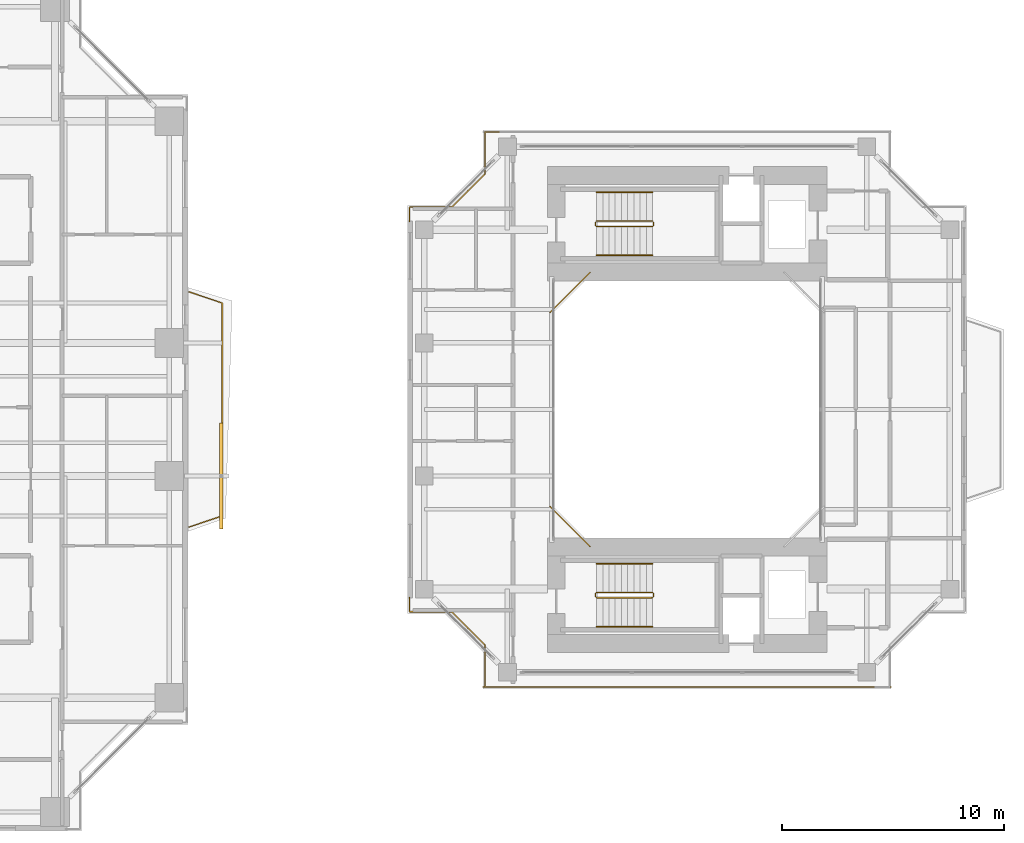
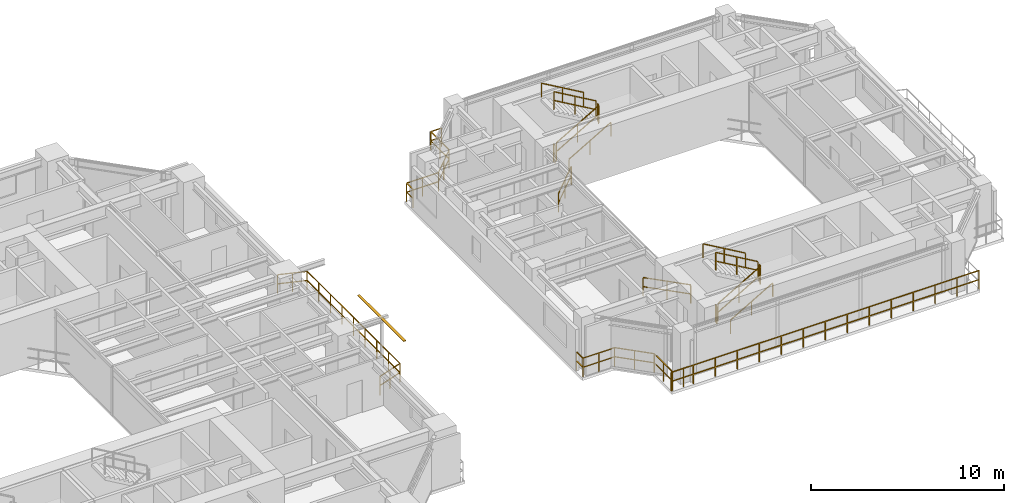
# One storey, part 21 of 23: 18 railings, 1 shading device.
"""IFC4 building model written with IfcOpenShell, lengths in metres."""

from ifc_helpers import new_model, si_unit, direction, frame, origin, origin_2d, place, context, subcontext, project, spatial, rectangle, extrude, source, transform, mapped, material, material_profile, profile_set, type_object, element, save


model = new_model("IFC4")

# Units and contexts
model_context = context("Model", 3, precision=1e-05, world=origin(), true_north=direction((0.0, 1.0)))
body_context = subcontext(model_context, "Body", "Model", "MODEL_VIEW")
ifc_project = project(units=[si_unit("LENGTHUNIT", "METRE"), si_unit("AREAUNIT", "SQUARE_METRE"), si_unit("VOLUMEUNIT", "CUBIC_METRE"), si_unit("PLANEANGLEUNIT", "RADIAN"), si_unit("MASSUNIT", "GRAM", prefix="KILO"), si_unit("THERMODYNAMICTEMPERATUREUNIT", "KELVIN"), si_unit("POWERUNIT", "WATT")], contexts=[model_context])

# Site, building, storey
site_placement = place(None, origin())
site = spatial("IfcSite", under=ifc_project, at=site_placement, CompositionType="ELEMENT")
building_placement = place(site_placement, origin())
building = spatial("IfcBuilding", under=site, at=building_placement, Name="Qiaomeng Ring Towers", CompositionType="ELEMENT")
storey_placement = place(building_placement, frame((0.0, 0.0, 76.25)))
storey = spatial("IfcBuildingStorey", under=building, at=storey_placement, Name="L21", CompositionType="ELEMENT", Elevation=76.25)

# Railings
ifc_material_1 = material(Name="Low-E pale-green laminated safety glass", Category="glass")
railing_type_1 = type_object("IfcRailingType", Name="ARC-RL-BAL1", PredefinedType="BALUSTRADE", material=ifc_material_1)
railing_1_placement = place(storey_placement, frame((38.050048828125, 17.699951171875, 0.0)))
element("IfcRailing", 1, at=railing_1_placement, inside=storey, type_object=railing_type_1, Name="L21 Balustrade ARC-BAL-L21-T1-E", PredefinedType="BALUSTRADE", context=body_context, shape_type="SweptSolid", body=[
    extrude(rectangle(XDim=0.048095703125, YDim=0.048095703125, at=origin_2d()), frame((0.0, 0.0, 1.17578125), z_axis=(0.948044476945, 0.318137815629, 0.0), x_axis=(-0.318137815629, 0.948044476945, 0.0)), (0.0, 0.0, 1.0), 1.571533203125),
    extrude(rectangle(XDim=0.048095703125, YDim=0.048095703125, at=origin_2d()), frame((0.0, 0.0, 0.60009765625), z_axis=(0.948044476945, 0.318137815629, 0.0), x_axis=(-0.318137815629, 0.948044476945, 0.0)), (0.0, 0.0, 1.0), 1.571533203125),
    extrude(rectangle(XDim=0.048095703125, YDim=0.048095703125, at=origin_2d()), frame((1.489990234375, 0.5, 1.17578125), z_axis=(0.0, 1.0, 0.0), x_axis=(-1.0, 0.0, 0.0)), (0.0, 0.0, 1.0), 9.60009765625),
    extrude(rectangle(XDim=0.048095703125, YDim=0.048095703125, at=origin_2d()), frame((1.489990234375, 0.5, 0.60009765625), z_axis=(0.0, 1.0, 0.0), x_axis=(-1.0, 0.0, 0.0)), (0.0, 0.0, 1.0), 9.60009765625),
    extrude(rectangle(XDim=0.048095703125, YDim=0.048095703125, at=origin_2d()), frame((1.489990234375, 10.10009765625, 1.17578125), z_axis=(-0.948044476945, 0.318137815629, 0.0), x_axis=(-0.318137815629, -0.948044476945, 0.0)), (0.0, 0.0, 1.0), 1.571533203125),
    extrude(rectangle(XDim=0.048095703125, YDim=0.048095703125, at=origin_2d()), frame((1.489990234375, 10.10009765625, 0.60009765625), z_axis=(-0.948044476945, 0.318137815629, 0.0), x_axis=(-0.318137815629, -0.948044476945, 0.0)), (0.0, 0.0, 1.0), 1.571533203125),
    extrude(rectangle(XDim=0.0419921875, YDim=0.0419921875, at=origin_2d()), origin(), (0.0, 0.0, 1.0), 1.15185546875),
    extrude(rectangle(XDim=0.0419921875, YDim=0.0419921875, at=origin_2d()), frame((0.7451171875, 0.25, 0.0)), (0.0, 0.0, 1.0), 1.15185546875),
    extrude(rectangle(XDim=0.0419921875, YDim=0.0419921875, at=origin_2d()), frame((1.489990234375, 0.5, 0.0)), (0.0, 0.0, 1.0), 1.15185546875),
    extrude(rectangle(XDim=0.0419921875, YDim=0.0419921875, at=origin_2d()), frame((1.489990234375, 1.699951171875, 0.0)), (0.0, 0.0, 1.0), 1.15185546875),
    extrude(rectangle(XDim=0.0419921875, YDim=0.0419921875, at=origin_2d()), frame((1.489990234375, 2.89990234375, 0.0)), (0.0, 0.0, 1.0), 1.15185546875),
    extrude(rectangle(XDim=0.0419921875, YDim=0.0419921875, at=origin_2d()), frame((1.489990234375, 4.10009765625, 0.0)), (0.0, 0.0, 1.0), 1.15185546875),
    extrude(rectangle(XDim=0.0419921875, YDim=0.0419921875, at=origin_2d()), frame((1.489990234375, 5.300048828125, 0.0)), (0.0, 0.0, 1.0), 1.15185546875),
    extrude(rectangle(XDim=0.0419921875, YDim=0.0419921875, at=origin_2d()), frame((1.489990234375, 6.5, 0.0)), (0.0, 0.0, 1.0), 1.15185546875),
    extrude(rectangle(XDim=0.0419921875, YDim=0.0419921875, at=origin_2d()), frame((1.489990234375, 7.7001953125, 0.0)), (0.0, 0.0, 1.0), 1.15185546875),
    extrude(rectangle(XDim=0.0419921875, YDim=0.0419921875, at=origin_2d()), frame((1.489990234375, 8.900146484375, 0.0)), (0.0, 0.0, 1.0), 1.15185546875),
    extrude(rectangle(XDim=0.0419921875, YDim=0.0419921875, at=origin_2d()), frame((1.489990234375, 10.10009765625, 0.0)), (0.0, 0.0, 1.0), 1.15185546875),
    extrude(rectangle(XDim=0.0419921875, YDim=0.0419921875, at=origin_2d()), frame((0.7451171875, 10.35009765625, 0.0)), (0.0, 0.0, 1.0), 1.15185546875),
    extrude(rectangle(XDim=0.0419921875, YDim=0.0419921875, at=origin_2d()), frame((0.0, 10.60009765625, 0.0)), (0.0, 0.0, 1.0), 1.15185546875),
])
railing_2_placement = place(storey_placement, frame((56.1201171875, 29.179931640625, 0.0)))
element("IfcRailing", 2, at=railing_2_placement, inside=storey, type_object=railing_type_1, Name="L21 Balustrade ARC-BAL-WELL2-L21-3", PredefinedType="BALUSTRADE", context=body_context, shape_type="SweptSolid", body=[
    extrude(rectangle(XDim=0.048095703125, YDim=0.048095703125, at=origin_2d()), frame((0.0, 0.0, 1.17578125), z_axis=(-0.707106781187, -0.707106781187, 0.0), x_axis=(0.707106781187, -0.707106781187, 0.0)), (0.0, 0.0, 1.0), 2.545654296875),
    extrude(rectangle(XDim=0.048095703125, YDim=0.048095703125, at=origin_2d()), frame((0.0, 0.0, 0.60009765625), z_axis=(-0.707106781187, -0.707106781187, 0.0), x_axis=(0.707106781187, -0.707106781187, 0.0)), (0.0, 0.0, 1.0), 2.545654296875),
    extrude(rectangle(XDim=0.0419921875, YDim=0.0419921875, at=origin_2d()), origin(), (0.0, 0.0, 1.0), 1.15185546875),
    extrude(rectangle(XDim=0.0419921875, YDim=0.0419921875, at=origin_2d()), frame((-0.89990234375, -0.89990234375, 0.0)), (0.0, 0.0, 1.0), 1.15185546875),
    extrude(rectangle(XDim=0.0419921875, YDim=0.0419921875, at=origin_2d()), frame((-1.800048828125, -1.800048828125, 0.0)), (0.0, 0.0, 1.0), 1.15185546875),
])
railing_3_placement = place(storey_placement, frame((54.320068359375, 18.6201171875, 0.0)))
element("IfcRailing", 3, at=railing_3_placement, inside=storey, type_object=railing_type_1, Name="L21 Balustrade ARC-BAL-WELL2-L21-4", PredefinedType="BALUSTRADE", context=body_context, shape_type="SweptSolid", body=[
    extrude(rectangle(XDim=0.048095703125, YDim=0.048095703125, at=origin_2d()), frame((0.0, 0.0, 1.17578125), z_axis=(0.707106781187, -0.707106781187, 0.0), x_axis=(0.707106781187, 0.707106781187, 0.0)), (0.0, 0.0, 1.0), 2.545654296875),
    extrude(rectangle(XDim=0.048095703125, YDim=0.048095703125, at=origin_2d()), frame((0.0, 0.0, 0.60009765625), z_axis=(0.707106781187, -0.707106781187, 0.0), x_axis=(0.707106781187, 0.707106781187, 0.0)), (0.0, 0.0, 1.0), 2.545654296875),
    extrude(rectangle(XDim=0.0419921875, YDim=0.0419921875, at=origin_2d()), origin(), (0.0, 0.0, 1.0), 1.15185546875),
    extrude(rectangle(XDim=0.0419921875, YDim=0.0419921875, at=origin_2d()), frame((0.89990234375, -0.89990234375, 0.0)), (0.0, 0.0, 1.0), 1.15185546875),
    extrude(rectangle(XDim=0.0419921875, YDim=0.0419921875, at=origin_2d()), frame((1.800048828125, -1.800048828125, 0.0)), (0.0, 0.0, 1.0), 1.15185546875),
])
railing_4_placement = place(storey_placement, frame((52.030029296875, 35.52001953125, 0.0)))
element("IfcRailing", 4, at=railing_4_placement, inside=storey, type_object=railing_type_1, Name="L21 Balustrade ARC-BAL-NOTCH2-L21-NW", PredefinedType="BALUSTRADE", context=body_context, shape_type="SweptSolid", body=[
    extrude(rectangle(XDim=0.048095703125, YDim=0.048095703125, at=origin_2d()), frame((0.0, 0.0, 1.17578125), z_axis=(-1.0, 0.0, 0.0), x_axis=(0.0, -1.0, 0.0)), (0.0, 0.0, 1.0), 0.650146484375),
    extrude(rectangle(XDim=0.048095703125, YDim=0.048095703125, at=origin_2d()), frame((0.0, 0.0, 0.60009765625), z_axis=(-1.0, 0.0, 0.0), x_axis=(0.0, -1.0, 0.0)), (0.0, 0.0, 1.0), 0.650146484375),
    extrude(rectangle(XDim=0.048095703125, YDim=0.048095703125, at=origin_2d()), frame((-0.650146484375, 0.0, 1.17578125), z_axis=(0.0, -1.0, 0.0), x_axis=(1.0, 0.0, 0.0)), (0.0, 0.0, 1.0), 1.89990234375),
    extrude(rectangle(XDim=0.048095703125, YDim=0.048095703125, at=origin_2d()), frame((-0.650146484375, 0.0, 0.60009765625), z_axis=(0.0, -1.0, 0.0), x_axis=(1.0, 0.0, 0.0)), (0.0, 0.0, 1.0), 1.89990234375),
    extrude(rectangle(XDim=0.048095703125, YDim=0.048095703125, at=origin_2d()), frame((-0.650146484375, -1.89990234375, 1.17578125), z_axis=(-0.707106781187, -0.707106781187, 0.0), x_axis=(0.707106781187, -0.707106781187, 0.0)), (0.0, 0.0, 1.0), 2.121337890625),
    extrude(rectangle(XDim=0.048095703125, YDim=0.048095703125, at=origin_2d()), frame((-0.650146484375, -1.89990234375, 0.60009765625), z_axis=(-0.707106781187, -0.707106781187, 0.0), x_axis=(0.707106781187, -0.707106781187, 0.0)), (0.0, 0.0, 1.0), 2.121337890625),
    extrude(rectangle(XDim=0.048095703125, YDim=0.048095703125, at=origin_2d()), frame((-2.150146484375, -3.39990234375, 1.17578125), z_axis=(-1.0, 0.0, 0.0), x_axis=(0.0, -1.0, 0.0)), (0.0, 0.0, 1.0), 1.89990234375),
    extrude(rectangle(XDim=0.048095703125, YDim=0.048095703125, at=origin_2d()), frame((-2.150146484375, -3.39990234375, 0.60009765625), z_axis=(-1.0, 0.0, 0.0), x_axis=(0.0, -1.0, 0.0)), (0.0, 0.0, 1.0), 1.89990234375),
    extrude(rectangle(XDim=0.048095703125, YDim=0.048095703125, at=origin_2d()), frame((-4.050048828125, -3.39990234375, 1.17578125), z_axis=(0.0, -1.0, 0.0), x_axis=(1.0, 0.0, 0.0)), (0.0, 0.0, 1.0), 0.650146484375),
    extrude(rectangle(XDim=0.048095703125, YDim=0.048095703125, at=origin_2d()), frame((-4.050048828125, -3.39990234375, 0.60009765625), z_axis=(0.0, -1.0, 0.0), x_axis=(1.0, 0.0, 0.0)), (0.0, 0.0, 1.0), 0.650146484375),
    extrude(rectangle(XDim=0.0419921875, YDim=0.0419921875, at=origin_2d()), origin(), (0.0, 0.0, 1.0), 1.15185546875),
    extrude(rectangle(XDim=0.0419921875, YDim=0.0419921875, at=origin_2d()), frame((-0.650146484375, 0.0, 0.0)), (0.0, 0.0, 1.0), 1.15185546875),
    extrude(rectangle(XDim=0.0419921875, YDim=0.0419921875, at=origin_2d()), frame((-0.650146484375, -0.949951171875, 0.0)), (0.0, 0.0, 1.0), 1.15185546875),
    extrude(rectangle(XDim=0.0419921875, YDim=0.0419921875, at=origin_2d()), frame((-0.650146484375, -1.89990234375, 0.0)), (0.0, 0.0, 1.0), 1.15185546875),
    extrude(rectangle(XDim=0.0419921875, YDim=0.0419921875, at=origin_2d()), frame((-1.400146484375, -2.64990234375, 0.0)), (0.0, 0.0, 1.0), 1.15185546875),
    extrude(rectangle(XDim=0.0419921875, YDim=0.0419921875, at=origin_2d()), frame((-2.150146484375, -3.39990234375, 0.0)), (0.0, 0.0, 1.0), 1.15185546875),
    extrude(rectangle(XDim=0.0419921875, YDim=0.0419921875, at=origin_2d()), frame((-3.10009765625, -3.39990234375, 0.0)), (0.0, 0.0, 1.0), 1.15185546875),
    extrude(rectangle(XDim=0.0419921875, YDim=0.0419921875, at=origin_2d()), frame((-4.050048828125, -3.39990234375, 0.0)), (0.0, 0.0, 1.0), 1.15185546875),
    extrude(rectangle(XDim=0.0419921875, YDim=0.0419921875, at=origin_2d()), frame((-4.050048828125, -4.050048828125, 0.0)), (0.0, 0.0, 1.0), 1.15185546875),
])
railing_5_placement = place(storey_placement, frame((47.97998046875, 14.530029296875, 0.0)))
element("IfcRailing", 5, at=railing_5_placement, inside=storey, type_object=railing_type_1, Name="L21 Balustrade ARC-BAL-NOTCH2-L21-SW", PredefinedType="BALUSTRADE", context=body_context, shape_type="SweptSolid", body=[
    extrude(rectangle(XDim=0.048095703125, YDim=0.048095703125, at=origin_2d()), frame((0.0, 0.0, 1.17578125), z_axis=(0.0, -1.0, 0.0), x_axis=(1.0, 0.0, 0.0)), (0.0, 0.0, 1.0), 0.650146484375),
    extrude(rectangle(XDim=0.048095703125, YDim=0.048095703125, at=origin_2d()), frame((0.0, 0.0, 0.60009765625), z_axis=(0.0, -1.0, 0.0), x_axis=(1.0, 0.0, 0.0)), (0.0, 0.0, 1.0), 0.650146484375),
    extrude(rectangle(XDim=0.048095703125, YDim=0.048095703125, at=origin_2d()), frame((0.0, -0.650146484375, 1.17578125), z_axis=(1.0, 0.0, 0.0), x_axis=(0.0, 1.0, 0.0)), (0.0, 0.0, 1.0), 1.89990234375),
    extrude(rectangle(XDim=0.048095703125, YDim=0.048095703125, at=origin_2d()), frame((0.0, -0.650146484375, 0.60009765625), z_axis=(1.0, 0.0, 0.0), x_axis=(0.0, 1.0, 0.0)), (0.0, 0.0, 1.0), 1.89990234375),
    extrude(rectangle(XDim=0.048095703125, YDim=0.048095703125, at=origin_2d()), frame((1.89990234375, -0.650146484375, 1.17578125), z_axis=(0.707106781187, -0.707106781187, 0.0), x_axis=(0.707106781187, 0.707106781187, 0.0)), (0.0, 0.0, 1.0), 2.121337890625),
    extrude(rectangle(XDim=0.048095703125, YDim=0.048095703125, at=origin_2d()), frame((1.89990234375, -0.650146484375, 0.60009765625), z_axis=(0.707106781187, -0.707106781187, 0.0), x_axis=(0.707106781187, 0.707106781187, 0.0)), (0.0, 0.0, 1.0), 2.121337890625),
    extrude(rectangle(XDim=0.048095703125, YDim=0.048095703125, at=origin_2d()), frame((3.39990234375, -2.150146484375, 1.17578125), z_axis=(0.0, -1.0, 0.0), x_axis=(1.0, 0.0, 0.0)), (0.0, 0.0, 1.0), 1.89990234375),
    extrude(rectangle(XDim=0.048095703125, YDim=0.048095703125, at=origin_2d()), frame((3.39990234375, -2.150146484375, 0.60009765625), z_axis=(0.0, -1.0, 0.0), x_axis=(1.0, 0.0, 0.0)), (0.0, 0.0, 1.0), 1.89990234375),
    extrude(rectangle(XDim=0.048095703125, YDim=0.048095703125, at=origin_2d()), frame((3.39990234375, -4.050048828125, 1.17578125), z_axis=(1.0, 0.0, 0.0), x_axis=(0.0, 1.0, 0.0)), (0.0, 0.0, 1.0), 0.650146484375),
    extrude(rectangle(XDim=0.048095703125, YDim=0.048095703125, at=origin_2d()), frame((3.39990234375, -4.050048828125, 0.60009765625), z_axis=(1.0, 0.0, 0.0), x_axis=(0.0, 1.0, 0.0)), (0.0, 0.0, 1.0), 0.650146484375),
    extrude(rectangle(XDim=0.0419921875, YDim=0.0419921875, at=origin_2d()), origin(), (0.0, 0.0, 1.0), 1.15185546875),
    extrude(rectangle(XDim=0.0419921875, YDim=0.0419921875, at=origin_2d()), frame((0.0, -0.650146484375, 0.0)), (0.0, 0.0, 1.0), 1.15185546875),
    extrude(rectangle(XDim=0.0419921875, YDim=0.0419921875, at=origin_2d()), frame((0.949951171875, -0.650146484375, 0.0)), (0.0, 0.0, 1.0), 1.15185546875),
    extrude(rectangle(XDim=0.0419921875, YDim=0.0419921875, at=origin_2d()), frame((1.89990234375, -0.650146484375, 0.0)), (0.0, 0.0, 1.0), 1.15185546875),
    extrude(rectangle(XDim=0.0419921875, YDim=0.0419921875, at=origin_2d()), frame((2.64990234375, -1.400146484375, 0.0)), (0.0, 0.0, 1.0), 1.15185546875),
    extrude(rectangle(XDim=0.0419921875, YDim=0.0419921875, at=origin_2d()), frame((3.39990234375, -2.150146484375, 0.0)), (0.0, 0.0, 1.0), 1.15185546875),
    extrude(rectangle(XDim=0.0419921875, YDim=0.0419921875, at=origin_2d()), frame((3.39990234375, -3.10009765625, 0.0)), (0.0, 0.0, 1.0), 1.15185546875),
    extrude(rectangle(XDim=0.0419921875, YDim=0.0419921875, at=origin_2d()), frame((3.39990234375, -4.050048828125, 0.0)), (0.0, 0.0, 1.0), 1.15185546875),
    extrude(rectangle(XDim=0.0419921875, YDim=0.0419921875, at=origin_2d()), frame((4.050048828125, -4.050048828125, 0.0)), (0.0, 0.0, 1.0), 1.15185546875),
])
railing_6_placement = place(storey_placement, frame((51.300048828125, 10.47998046875, 0.0)))
element("IfcRailing", 6, at=railing_6_placement, inside=storey, type_object=railing_type_1, Name="L21 Balustrade ARC-BAL-T2S-L21", PredefinedType="BALUSTRADE", context=body_context, shape_type="SweptSolid", body=[
    extrude(rectangle(XDim=0.048095703125, YDim=0.048095703125, at=origin_2d()), frame((0.0, 0.0, 1.17578125), z_axis=(1.0, 0.0, 0.0), x_axis=(0.0, 1.0, 0.0)), (0.0, 0.0, 1.0), 18.39990234375),
    extrude(rectangle(XDim=0.048095703125, YDim=0.048095703125, at=origin_2d()), frame((0.0, 0.0, 0.60009765625), z_axis=(1.0, 0.0, 0.0), x_axis=(0.0, 1.0, 0.0)), (0.0, 0.0, 1.0), 18.39990234375),
    extrude(rectangle(XDim=0.0419921875, YDim=0.0419921875, at=origin_2d()), origin(), (0.0, 0.0, 1.0), 1.15185546875),
    extrude(rectangle(XDim=0.0419921875, YDim=0.0419921875, at=origin_2d()), frame((1.314208984375, 0.0, 0.0)), (0.0, 0.0, 1.0), 1.15185546875),
    extrude(rectangle(XDim=0.0419921875, YDim=0.0419921875, at=origin_2d()), frame((2.628662109375, 0.0, 0.0)), (0.0, 0.0, 1.0), 1.15185546875),
    extrude(rectangle(XDim=0.0419921875, YDim=0.0419921875, at=origin_2d()), frame((3.94287109375, 0.0, 0.0)), (0.0, 0.0, 1.0), 1.15185546875),
    extrude(rectangle(XDim=0.0419921875, YDim=0.0419921875, at=origin_2d()), frame((5.257080078125, 0.0, 0.0)), (0.0, 0.0, 1.0), 1.15185546875),
    extrude(rectangle(XDim=0.0419921875, YDim=0.0419921875, at=origin_2d()), frame((6.5712890625, 0.0, 0.0)), (0.0, 0.0, 1.0), 1.15185546875),
    extrude(rectangle(XDim=0.0419921875, YDim=0.0419921875, at=origin_2d()), frame((7.8857421875, 0.0, 0.0)), (0.0, 0.0, 1.0), 1.15185546875),
    extrude(rectangle(XDim=0.0419921875, YDim=0.0419921875, at=origin_2d()), frame((9.199951171875, 0.0, 0.0)), (0.0, 0.0, 1.0), 1.15185546875),
    extrude(rectangle(XDim=0.0419921875, YDim=0.0419921875, at=origin_2d()), frame((10.51416015625, 0.0, 0.0)), (0.0, 0.0, 1.0), 1.15185546875),
    extrude(rectangle(XDim=0.0419921875, YDim=0.0419921875, at=origin_2d()), frame((11.82861328125, 0.0, 0.0)), (0.0, 0.0, 1.0), 1.15185546875),
    extrude(rectangle(XDim=0.0419921875, YDim=0.0419921875, at=origin_2d()), frame((13.142822265625, 0.0, 0.0)), (0.0, 0.0, 1.0), 1.15185546875),
    extrude(rectangle(XDim=0.0419921875, YDim=0.0419921875, at=origin_2d()), frame((14.45703125, 0.0, 0.0)), (0.0, 0.0, 1.0), 1.15185546875),
    extrude(rectangle(XDim=0.0419921875, YDim=0.0419921875, at=origin_2d()), frame((15.771240234375, 0.0, 0.0)), (0.0, 0.0, 1.0), 1.15185546875),
    extrude(rectangle(XDim=0.0419921875, YDim=0.0419921875, at=origin_2d()), frame((17.085693359375, 0.0, 0.0)), (0.0, 0.0, 1.0), 1.15185546875),
    extrude(rectangle(XDim=0.0419921875, YDim=0.0419921875, at=origin_2d()), frame((18.39990234375, 0.0, 0.0)), (0.0, 0.0, 1.0), 1.15185546875),
])
ifc_material_2 = material(Name="Galvanised steel", Category="steel")
railing_type_2 = type_object("IfcRailingType", Name="ARC-RL-GUARD", PredefinedType="GUARDRAIL", material=ifc_material_2)
railing_7_placement = place(storey_placement, frame((56.419921875, 31.25, 0.16259765625)))
element("IfcRailing", 7, at=railing_7_placement, inside=storey, type_object=railing_type_2, Name="L21 ST5 stair guard 1", PredefinedType="GUARDRAIL", context=body_context, shape_type="SweptSolid", body=[
    extrude(rectangle(XDim=0.048095703125, YDim=0.048095703125, at=origin_2d()), frame((0.0, 0.0, 1.1259765625), z_axis=(0.864913338283, 0.0, 0.50192122615), x_axis=(0.0, 1.0, 0.0)), (0.0, 0.0, 1.0), 2.91357421875),
    extrude(rectangle(XDim=0.048095703125, YDim=0.048095703125, at=origin_2d()), frame((0.0, 0.0, 0.574951171875), z_axis=(0.864913338283, 0.0, 0.50192122615), x_axis=(0.0, 1.0, 0.0)), (0.0, 0.0, 1.0), 2.91357421875),
    extrude(rectangle(XDim=0.0419921875, YDim=0.0419921875, at=origin_2d()), origin(), (0.0, 0.0, 1.0), 1.101806640625),
    extrude(rectangle(XDim=0.0419921875, YDim=0.0419921875, at=origin_2d()), frame((1.260009765625, 0.0, 0.731201171875)), (0.0, 0.0, 1.0), 1.101806640625),
    extrude(rectangle(XDim=0.0419921875, YDim=0.0419921875, at=origin_2d()), frame((2.52001953125, 0.0, 1.46240234375)), (0.0, 0.0, 1.0), 1.101806640625),
])
railing_8_placement = place(storey_placement, frame((58.989990234375, 31.300048828125, 1.625)))
element("IfcRailing", 8, at=railing_8_placement, inside=storey, type_object=railing_type_2, Name="L21 ST5 stair guard 2", PredefinedType="GUARDRAIL", context=body_context, shape_type="SweptSolid", body=[
    extrude(rectangle(XDim=0.048095703125, YDim=0.048095703125, at=origin_2d()), frame((0.0, 0.0, 1.1259765625), z_axis=(0.0, 1.0, 0.0), x_axis=(-1.0, 0.0, 0.0)), (0.0, 0.0, 1.0), 0.139892578125),
    extrude(rectangle(XDim=0.048095703125, YDim=0.048095703125, at=origin_2d()), frame((0.0, 0.0, 0.574951171875), z_axis=(0.0, 1.0, 0.0), x_axis=(-1.0, 0.0, 0.0)), (0.0, 0.0, 1.0), 0.139892578125),
    extrude(rectangle(XDim=0.0419921875, YDim=0.0419921875, at=origin_2d()), origin(), (0.0, 0.0, 1.0), 1.101806640625),
    extrude(rectangle(XDim=0.0419921875, YDim=0.0419921875, at=origin_2d()), frame((0.0, 0.139892578125, 0.0)), (0.0, 0.0, 1.0), 1.101806640625),
])
railing_9_placement = place(storey_placement, frame((58.93994140625, 31.489990234375, 1.78759765625)))
element("IfcRailing", 9, at=railing_9_placement, inside=storey, type_object=railing_type_2, Name="L21 ST5 stair guard 3", PredefinedType="GUARDRAIL", context=body_context, shape_type="SweptSolid", body=[
    extrude(rectangle(XDim=0.048095703125, YDim=0.048095703125, at=origin_2d()), frame((0.0, 0.0, 1.1259765625), z_axis=(-0.864913338283, 0.0, 0.50192122615), x_axis=(0.0, -1.0, 0.0)), (0.0, 0.0, 1.0), 2.91357421875),
    extrude(rectangle(XDim=0.048095703125, YDim=0.048095703125, at=origin_2d()), frame((0.0, 0.0, 0.574951171875), z_axis=(-0.864913338283, 0.0, 0.50192122615), x_axis=(0.0, -1.0, 0.0)), (0.0, 0.0, 1.0), 2.91357421875),
    extrude(rectangle(XDim=0.0419921875, YDim=0.0419921875, at=origin_2d()), origin(), (0.0, 0.0, 1.0), 1.101806640625),
    extrude(rectangle(XDim=0.0419921875, YDim=0.0419921875, at=origin_2d()), frame((-1.260009765625, 0.0, 0.731201171875)), (0.0, 0.0, 1.0), 1.101806640625),
    extrude(rectangle(XDim=0.0419921875, YDim=0.0419921875, at=origin_2d()), frame((-2.52001953125, 0.0, 1.46240234375)), (0.0, 0.0, 1.0), 1.101806640625),
])
railing_10_placement = place(storey_placement, frame((56.3701171875, 31.300048828125, 0.0)))
element("IfcRailing", 10, at=railing_10_placement, inside=storey, type_object=railing_type_2, Name="L21 ST5 stair guard 4", PredefinedType="GUARDRAIL", context=body_context, shape_type="SweptSolid", body=[
    extrude(rectangle(XDim=0.048095703125, YDim=0.048095703125, at=origin_2d()), frame((0.0, 0.0, 1.1259765625), z_axis=(0.0, 1.0, 0.0), x_axis=(-1.0, 0.0, 0.0)), (0.0, 0.0, 1.0), 0.139892578125),
    extrude(rectangle(XDim=0.048095703125, YDim=0.048095703125, at=origin_2d()), frame((0.0, 0.0, 0.574951171875), z_axis=(0.0, 1.0, 0.0), x_axis=(-1.0, 0.0, 0.0)), (0.0, 0.0, 1.0), 0.139892578125),
    extrude(rectangle(XDim=0.0419921875, YDim=0.0419921875, at=origin_2d()), origin(), (0.0, 0.0, 1.0), 1.101806640625),
    extrude(rectangle(XDim=0.0419921875, YDim=0.0419921875, at=origin_2d()), frame((0.0, 0.139892578125, 0.0)), (0.0, 0.0, 1.0), 1.101806640625),
])
railing_11_placement = place(storey_placement, frame((56.419921875, 14.510009765625, 0.16259765625)))
element("IfcRailing", 11, at=railing_11_placement, inside=storey, type_object=railing_type_2, Name="L21 ST6 stair guard 1", PredefinedType="GUARDRAIL", context=body_context, shape_type="SweptSolid", body=[
    extrude(rectangle(XDim=0.048095703125, YDim=0.048095703125, at=origin_2d()), frame((0.0, 0.0, 1.1259765625), z_axis=(0.864913338283, 0.0, 0.50192122615), x_axis=(0.0, 1.0, 0.0)), (0.0, 0.0, 1.0), 2.91357421875),
    extrude(rectangle(XDim=0.048095703125, YDim=0.048095703125, at=origin_2d()), frame((0.0, 0.0, 0.574951171875), z_axis=(0.864913338283, 0.0, 0.50192122615), x_axis=(0.0, 1.0, 0.0)), (0.0, 0.0, 1.0), 2.91357421875),
    extrude(rectangle(XDim=0.0419921875, YDim=0.0419921875, at=origin_2d()), origin(), (0.0, 0.0, 1.0), 1.101806640625),
    extrude(rectangle(XDim=0.0419921875, YDim=0.0419921875, at=origin_2d()), frame((1.260009765625, 0.0, 0.731201171875)), (0.0, 0.0, 1.0), 1.101806640625),
    extrude(rectangle(XDim=0.0419921875, YDim=0.0419921875, at=origin_2d()), frame((2.52001953125, 0.0, 1.46240234375)), (0.0, 0.0, 1.0), 1.101806640625),
])
railing_12_placement = place(storey_placement, frame((58.989990234375, 14.56005859375, 1.625)))
element("IfcRailing", 12, at=railing_12_placement, inside=storey, type_object=railing_type_2, Name="L21 ST6 stair guard 2", PredefinedType="GUARDRAIL", context=body_context, shape_type="SweptSolid", body=[
    extrude(rectangle(XDim=0.048095703125, YDim=0.048095703125, at=origin_2d()), frame((0.0, 0.0, 1.1259765625), z_axis=(0.0, 1.0, 0.0), x_axis=(-1.0, 0.0, 0.0)), (0.0, 0.0, 1.0), 0.139892578125),
    extrude(rectangle(XDim=0.048095703125, YDim=0.048095703125, at=origin_2d()), frame((0.0, 0.0, 0.574951171875), z_axis=(0.0, 1.0, 0.0), x_axis=(-1.0, 0.0, 0.0)), (0.0, 0.0, 1.0), 0.139892578125),
    extrude(rectangle(XDim=0.0419921875, YDim=0.0419921875, at=origin_2d()), origin(), (0.0, 0.0, 1.0), 1.101806640625),
    extrude(rectangle(XDim=0.0419921875, YDim=0.0419921875, at=origin_2d()), frame((0.0, 0.139892578125, 0.0)), (0.0, 0.0, 1.0), 1.101806640625),
])
railing_13_placement = place(storey_placement, frame((58.93994140625, 14.75, 1.78759765625)))
element("IfcRailing", 13, at=railing_13_placement, inside=storey, type_object=railing_type_2, Name="L21 ST6 stair guard 3", PredefinedType="GUARDRAIL", context=body_context, shape_type="SweptSolid", body=[
    extrude(rectangle(XDim=0.048095703125, YDim=0.048095703125, at=origin_2d()), frame((0.0, 0.0, 1.1259765625), z_axis=(-0.864913338283, 0.0, 0.50192122615), x_axis=(0.0, -1.0, 0.0)), (0.0, 0.0, 1.0), 2.91357421875),
    extrude(rectangle(XDim=0.048095703125, YDim=0.048095703125, at=origin_2d()), frame((0.0, 0.0, 0.574951171875), z_axis=(-0.864913338283, 0.0, 0.50192122615), x_axis=(0.0, -1.0, 0.0)), (0.0, 0.0, 1.0), 2.91357421875),
    extrude(rectangle(XDim=0.0419921875, YDim=0.0419921875, at=origin_2d()), origin(), (0.0, 0.0, 1.0), 1.101806640625),
    extrude(rectangle(XDim=0.0419921875, YDim=0.0419921875, at=origin_2d()), frame((-1.260009765625, 0.0, 0.731201171875)), (0.0, 0.0, 1.0), 1.101806640625),
    extrude(rectangle(XDim=0.0419921875, YDim=0.0419921875, at=origin_2d()), frame((-2.52001953125, 0.0, 1.46240234375)), (0.0, 0.0, 1.0), 1.101806640625),
])
railing_14_placement = place(storey_placement, frame((56.3701171875, 14.56005859375, 0.0)))
element("IfcRailing", 14, at=railing_14_placement, inside=storey, type_object=railing_type_2, Name="L21 ST6 stair guard 4", PredefinedType="GUARDRAIL", context=body_context, shape_type="SweptSolid", body=[
    extrude(rectangle(XDim=0.048095703125, YDim=0.048095703125, at=origin_2d()), frame((0.0, 0.0, 1.1259765625), z_axis=(0.0, 1.0, 0.0), x_axis=(-1.0, 0.0, 0.0)), (0.0, 0.0, 1.0), 0.139892578125),
    extrude(rectangle(XDim=0.048095703125, YDim=0.048095703125, at=origin_2d()), frame((0.0, 0.0, 0.574951171875), z_axis=(0.0, 1.0, 0.0), x_axis=(-1.0, 0.0, 0.0)), (0.0, 0.0, 1.0), 0.139892578125),
    extrude(rectangle(XDim=0.0419921875, YDim=0.0419921875, at=origin_2d()), origin(), (0.0, 0.0, 1.0), 1.101806640625),
    extrude(rectangle(XDim=0.0419921875, YDim=0.0419921875, at=origin_2d()), frame((0.0, 0.139892578125, 0.0)), (0.0, 0.0, 1.0), 1.101806640625),
])
ifc_material_3 = material(Name="Stainless steel 316", Category="steel")
railing_type_3 = type_object("IfcRailingType", Name="ARC-RL-HAND", PredefinedType="HANDRAIL", material=ifc_material_3)
railing_15_placement = place(storey_placement, frame((56.419921875, 29.949951171875, 0.16259765625)))
element("IfcRailing", 15, at=railing_15_placement, inside=storey, type_object=railing_type_3, Name="L21 ST5 stair handrail 1", PredefinedType="HANDRAIL", context=body_context, shape_type="SweptSolid", body=[
    extrude(rectangle(XDim=0.048095703125, YDim=0.048095703125, at=origin_2d()), frame((0.0, 0.0, 0.8759765625), z_axis=(0.864913338283, 0.0, 0.50192122615), x_axis=(0.0, 1.0, 0.0)), (0.0, 0.0, 1.0), 2.91357421875),
    extrude(rectangle(XDim=0.0419921875, YDim=0.0419921875, at=origin_2d()), origin(), (0.0, 0.0, 1.0), 0.851806640625),
    extrude(rectangle(XDim=0.0419921875, YDim=0.0419921875, at=origin_2d()), frame((1.260009765625, 0.0, 0.731201171875)), (0.0, 0.0, 1.0), 0.851806640625),
    extrude(rectangle(XDim=0.0419921875, YDim=0.0419921875, at=origin_2d()), frame((2.52001953125, 0.0, 1.46240234375)), (0.0, 0.0, 1.0), 0.851806640625),
])
railing_16_placement = place(storey_placement, frame((58.93994140625, 32.7900390625, 1.78759765625)))
element("IfcRailing", 16, at=railing_16_placement, inside=storey, type_object=railing_type_3, Name="L21 ST5 stair handrail 2", PredefinedType="HANDRAIL", context=body_context, shape_type="SweptSolid", body=[
    extrude(rectangle(XDim=0.048095703125, YDim=0.048095703125, at=origin_2d()), frame((0.0, 0.0, 0.8759765625), z_axis=(-0.864913338283, 0.0, 0.50192122615), x_axis=(0.0, -1.0, 0.0)), (0.0, 0.0, 1.0), 2.91357421875),
    extrude(rectangle(XDim=0.0419921875, YDim=0.0419921875, at=origin_2d()), origin(), (0.0, 0.0, 1.0), 0.851806640625),
    extrude(rectangle(XDim=0.0419921875, YDim=0.0419921875, at=origin_2d()), frame((-1.260009765625, 0.0, 0.731201171875)), (0.0, 0.0, 1.0), 0.851806640625),
    extrude(rectangle(XDim=0.0419921875, YDim=0.0419921875, at=origin_2d()), frame((-2.52001953125, 0.0, 1.46240234375)), (0.0, 0.0, 1.0), 0.851806640625),
])
railing_17_placement = place(storey_placement, frame((56.419921875, 13.2099609375, 0.16259765625)))
element("IfcRailing", 17, at=railing_17_placement, inside=storey, type_object=railing_type_3, Name="L21 ST6 stair handrail 1", PredefinedType="HANDRAIL", context=body_context, shape_type="SweptSolid", body=[
    extrude(rectangle(XDim=0.048095703125, YDim=0.048095703125, at=origin_2d()), frame((0.0, 0.0, 0.8759765625), z_axis=(0.864913338283, 0.0, 0.50192122615), x_axis=(0.0, 1.0, 0.0)), (0.0, 0.0, 1.0), 2.91357421875),
    extrude(rectangle(XDim=0.0419921875, YDim=0.0419921875, at=origin_2d()), origin(), (0.0, 0.0, 1.0), 0.851806640625),
    extrude(rectangle(XDim=0.0419921875, YDim=0.0419921875, at=origin_2d()), frame((1.260009765625, 0.0, 0.731201171875)), (0.0, 0.0, 1.0), 0.851806640625),
    extrude(rectangle(XDim=0.0419921875, YDim=0.0419921875, at=origin_2d()), frame((2.52001953125, 0.0, 1.46240234375)), (0.0, 0.0, 1.0), 0.851806640625),
])
railing_18_placement = place(storey_placement, frame((58.93994140625, 16.050048828125, 1.78759765625)))
element("IfcRailing", 18, at=railing_18_placement, inside=storey, type_object=railing_type_3, Name="L21 ST6 stair handrail 2", PredefinedType="HANDRAIL", context=body_context, shape_type="SweptSolid", body=[
    extrude(rectangle(XDim=0.048095703125, YDim=0.048095703125, at=origin_2d()), frame((0.0, 0.0, 0.8759765625), z_axis=(-0.864913338283, 0.0, 0.50192122615), x_axis=(0.0, -1.0, 0.0)), (0.0, 0.0, 1.0), 2.91357421875),
    extrude(rectangle(XDim=0.0419921875, YDim=0.0419921875, at=origin_2d()), origin(), (0.0, 0.0, 1.0), 0.851806640625),
    extrude(rectangle(XDim=0.0419921875, YDim=0.0419921875, at=origin_2d()), frame((-1.260009765625, 0.0, 0.731201171875)), (0.0, 0.0, 1.0), 0.851806640625),
    extrude(rectangle(XDim=0.0419921875, YDim=0.0419921875, at=origin_2d()), frame((-2.52001953125, 0.0, 1.46240234375)), (0.0, 0.0, 1.0), 0.851806640625),
])

# Shading device
ifc_material_4 = material(Name="Fluorocarbon dark-grey aluminium", Category="aluminium")
ifc_material_profile = material_profile(ifc_material_4, rectangle(XDim=0.14990234375, YDim=0.034912109375, at=origin_2d()), Name="LV BLADE 150x35")
ifc_profile_set = profile_set([ifc_material_profile], Name="Fluorocarbon dark-grey aluminium")
shading_device_type = type_object("IfcShadingDeviceType", Name="ARC-SHD-SUN", PredefinedType="AWNING", material=ifc_profile_set)
shared_shape = source(origin(), body_context, "Body", "SweptSolid", [
    extrude(rectangle(XDim=0.14990234375, YDim=0.034912109375, at=origin_2d()), origin(), (0.0, 0.0, 1.0), 4.7998046875),
])
shading_device_placement = place(storey_placement, frame((39.489990234375, 17.60009765625, 2.969970703125), z_axis=(0.0, 1.0, 0.0), x_axis=(-1.0, 0.0, 0.0)))
element("IfcShadingDevice", 19, at=shading_device_placement, inside=storey, type_object=shading_device_type, Name="L21 Ventilated Outer-Skin Sunshade E", PredefinedType="AWNING", context=body_context, shape_type="MappedRepresentation", body=[
    mapped(shared_shape, transform((0.0, 0.0, 0.0), x_axis=(1.0, 0.0, 0.0), y_axis=(0.0, 1.0, 0.0), z_axis=(0.0, 0.0, 1.0), scale=1.0)),
])

save(model, "model.ifc")
